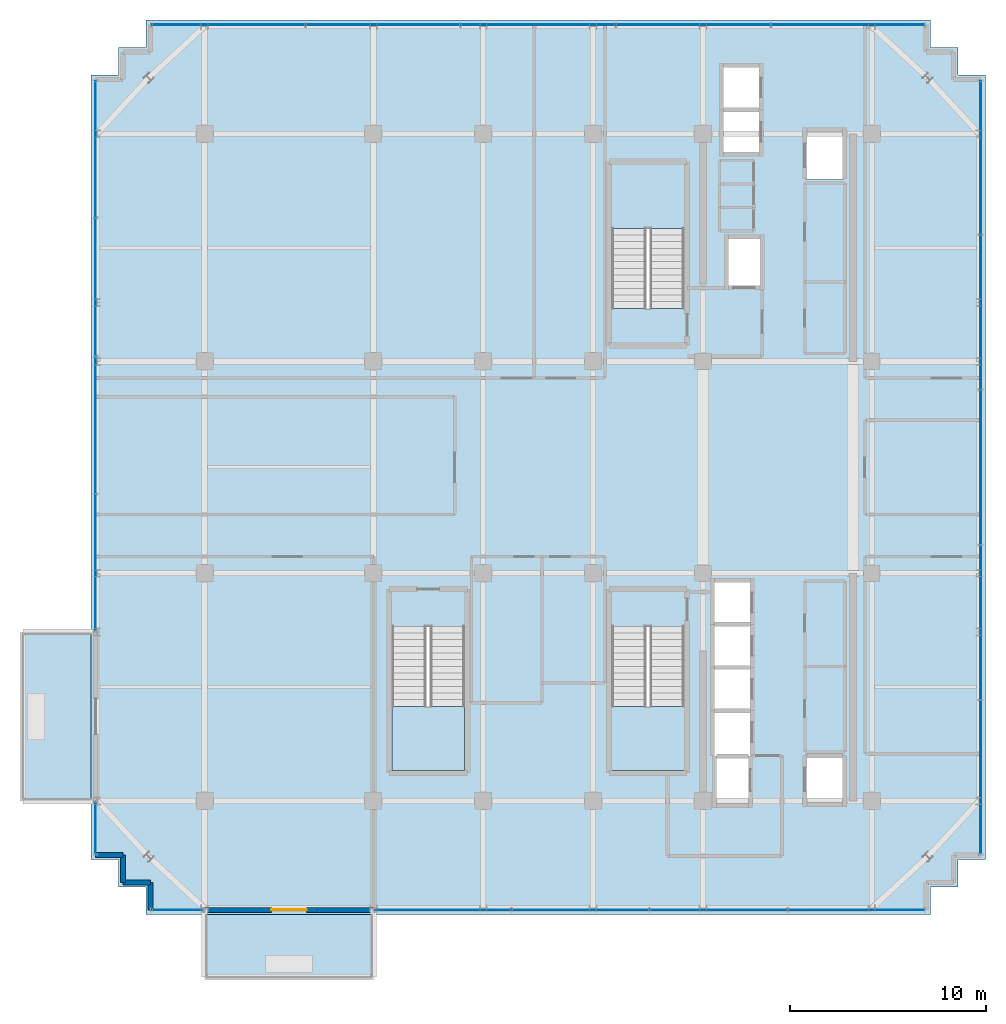
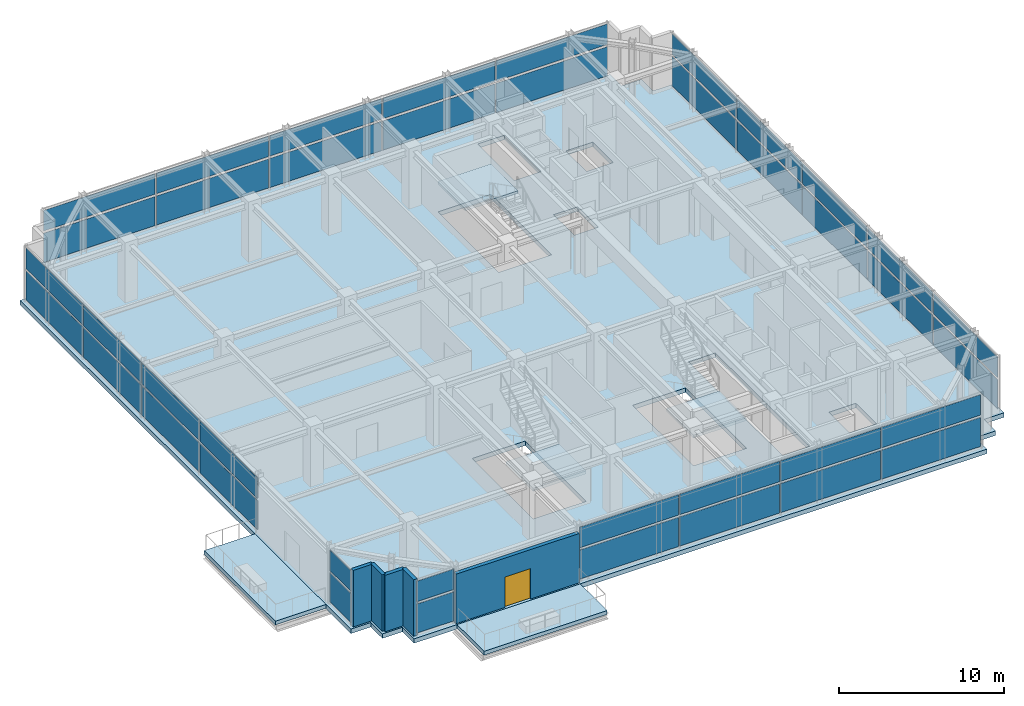
# One storey, part 18 of 25: 40 plates, 6 slabs, 5 walls, 1 door, 1 opening, 9 elements without a shape of their own.
"""IFC4 building model written with IfcOpenShell, lengths in metres."""

from ifc_helpers import new_model, si_unit, direction, frame, frame_2d, origin, origin_2d, place, context, subcontext, project, spatial, polyline, rectangle, outline, extrude, source, transform, mapped, material, layer, layer_set, type_object, element, fill, aggregate, save


model = new_model("IFC4")

# Units and contexts
model_context = context("Model", 3, precision=1e-05, world=origin(), true_north=direction((0.0, 1.0)))
body_context = subcontext(model_context, "Body", "Model", "MODEL_VIEW")
ifc_project = project(units=[si_unit("LENGTHUNIT", "METRE"), si_unit("AREAUNIT", "SQUARE_METRE"), si_unit("VOLUMEUNIT", "CUBIC_METRE"), si_unit("PLANEANGLEUNIT", "RADIAN"), si_unit("MASSUNIT", "GRAM", prefix="KILO")], contexts=[model_context])

# Site, building, storey
site_placement = place(None, origin())
site = spatial("IfcSite", under=ifc_project, at=site_placement, CompositionType="ELEMENT")
building_placement = place(site_placement, origin())
building = spatial("IfcBuilding", under=site, at=building_placement, Name="Nahalor Promenade Grand Hotel", CompositionType="ELEMENT")
storey_placement = place(building_placement, frame((0.0, 0.0, 338.550048828125)))
storey = spatial("IfcBuildingStorey", under=building, at=storey_placement, Name="L87", CompositionType="ELEMENT", Elevation=338.550048828125)

# Stair, slab
ifc_material_1 = material(Name="Concrete B-50 (C40/50)", Category="concrete")
stair_type_1 = type_object("IfcStairType", Name="Stair-ST1", PredefinedType="HALF_TURN_STAIR", material=ifc_material_1)
stair_1_placement = place(storey_placement, origin())
stair_1 = element("IfcStair", 1, at=stair_1_placement, inside=storey, type_object=stair_type_1, Name="L87 ST1", PredefinedType="HALF_TURN_STAIR")
ifc_layer_1 = layer(ifc_material_1, 0.199951171875)
ifc_layer_set_1 = layer_set([ifc_layer_1], Name="Concrete B-50 (C40/50)")
slab_type_1 = type_object("IfcSlabType", Name="Landing-ST1", PredefinedType="LANDING", material=ifc_layer_set_1)
slab_1_placement = place(storey_placement, frame((0.0, 0.0, 2.050048828125)))
slab_1 = element("IfcSlab", 2, at=slab_1_placement, type_object=slab_type_1, Name="ST1 landing 1", PredefinedType="LANDING", context=body_context, shape_type="SweptSolid", body=[
    extrude(outline(polyline([(7.449951171875, 12.179931640625), (7.449951171875, 15.449951171875), (3.75, 15.449951171875), (3.75, 12.179931640625), (7.449951171875, 12.179931640625)])), origin(), (0.0, 0.0, 1.0), 0.199951171875),
])
aggregate(stair_1, [slab_1])

stair_type_2 = type_object("IfcStairType", Name="Stair-ST2", PredefinedType="HALF_TURN_STAIR", material=ifc_material_1)
stair_2_placement = place(storey_placement, origin())
stair_2 = element("IfcStair", 3, at=stair_2_placement, inside=storey, type_object=stair_type_2, Name="L87 ST2", PredefinedType="HALF_TURN_STAIR")
ifc_layer_2 = layer(ifc_material_1, 0.2099609375)
ifc_layer_set_2 = layer_set([ifc_layer_2], Name="Concrete B-50 (C40/50)")
slab_type_2 = type_object("IfcSlabType", Name="Landing-ST2", PredefinedType="LANDING", material=ifc_layer_set_2)
slab_2_placement = place(storey_placement, frame((0.0, 0.0, 2.0400390625)))
slab_2 = element("IfcSlab", 4, at=slab_2_placement, type_object=slab_type_2, Name="ST2 landing 1", PredefinedType="LANDING", context=body_context, shape_type="SweptSolid", body=[
    extrude(outline(polyline([(3.75, -12.179931640625), (3.75, -15.449951171875), (7.449951171875, -15.449951171875), (7.449951171875, -12.179931640625), (3.75, -12.179931640625)])), origin(), (0.0, 0.0, 1.0), 0.2099609375),
])
aggregate(stair_2, [slab_2])

stair_type_3 = type_object("IfcStairType", Name="Stair-ST3", PredefinedType="HALF_TURN_STAIR", material=ifc_material_1)
stair_3_placement = place(storey_placement, origin())
stair_3 = element("IfcStair", 5, at=stair_3_placement, inside=storey, type_object=stair_type_3, Name="L87 ST3", PredefinedType="HALF_TURN_STAIR")
ifc_layer_3 = layer(ifc_material_1, 0.219970703125)
ifc_layer_set_3 = layer_set([ifc_layer_3], Name="Concrete B-50 (C40/50)")
slab_type_3 = type_object("IfcSlabType", Name="Landing-ST3", PredefinedType="LANDING", material=ifc_layer_set_3)
slab_3_placement = place(storey_placement, frame((0.0, 0.0, 2.030029296875)))
slab_3 = element("IfcSlab", 6, at=slab_3_placement, type_object=slab_type_3, Name="ST3 landing 1", PredefinedType="LANDING", context=body_context, shape_type="SweptSolid", body=[
    extrude(outline(polyline([(-7.449951171875, -12.179931640625), (-7.449951171875, -15.449951171875), (-3.75, -15.449951171875), (-3.75, -12.179931640625), (-7.449951171875, -12.179931640625)])), origin(), (0.0, 0.0, 1.0), 0.219970703125),
])
aggregate(stair_3, [slab_3])

# Slabs
ifc_layer_4 = layer(ifc_material_1, 0.280029296875)
ifc_layer_set_4 = layer_set([ifc_layer_4], Name="Concrete B-50 (C40/50)")
slab_type_4 = type_object("IfcSlabType", Name="Slab-Balcony-280", PredefinedType="FLOOR", material=ifc_layer_set_4)
slab_4_placement = place(storey_placement, frame((0.0, 0.0, -0.280029296875)))
element("IfcSlab", 7, at=slab_4_placement, inside=storey, type_object=slab_type_4, Name="L87 Cantilevered Planted Balcony 1", PredefinedType="FLOOR", context=body_context, shape_type="SweptSolid", body=[
    extrude(outline(polyline([(-17.0, -26.06005859375), (-8.39990234375, -26.06005859375), (-8.39990234375, -22.800048828125), (-17.0, -22.800048828125), (-17.0, -26.06005859375)])), origin(), (0.0, 0.0, 1.0), 0.280029296875),
])
slab_5_placement = place(storey_placement, frame((0.0, 0.0, -0.280029296875)))
element("IfcSlab", 8, at=slab_5_placement, inside=storey, type_object=slab_type_4, Name="L87 Cantilevered Planted Balcony 2", PredefinedType="FLOOR", context=body_context, shape_type="SweptSolid", body=[
    extrude(outline(polyline([(-26.340087890625, -17.0), (-22.800048828125, -17.0), (-22.800048828125, -8.39990234375), (-26.340087890625, -8.39990234375), (-26.340087890625, -17.0)])), origin(), (0.0, 0.0, 1.0), 0.280029296875),
])
ifc_layer_5 = layer(ifc_material_1, 0.330078125)
ifc_layer_set_5 = layer_set([ifc_layer_5], Name="Concrete B-50 (C40/50)")
slab_type_5 = type_object("IfcSlabType", Name="Slab-Observation-330", PredefinedType="FLOOR", material=ifc_layer_set_5)
slab_6_placement = place(storey_placement, frame((0.0, 0.0, -0.330078125)))
element("IfcSlab", 9, at=slab_6_placement, inside=storey, type_object=slab_type_5, Name="L87 Suspended Structural Floor Slab", PredefinedType="FLOOR", context=body_context, shape_type="SweptSolid", body=[
    extrude(outline(polyline([(-20.0, -22.800048828125), (20.0, -22.800048828125), (20.0, -21.39990234375), (21.39990234375, -21.39990234375), (21.39990234375, -20.0), (22.800048828125, -20.0), (22.800048828125, 20.0), (21.39990234375, 20.0), (21.39990234375, 21.39990234375), (20.0, 21.39990234375), (20.0, 22.800048828125), (-20.0, 22.800048828125), (-20.0, 21.39990234375), (-21.39990234375, 21.39990234375), (-21.39990234375, 20.0), (-22.800048828125, 20.0), (-22.800048828125, -20.0), (-21.39990234375, -20.0), (-21.39990234375, -21.39990234375), (-20.0, -21.39990234375), (-20.0, -22.800048828125)]), holes=[polyline([(3.75, 8.10009765625), (7.449951171875, 8.10009765625), (7.449951171875, 15.449951171875), (3.75, 15.449951171875), (3.75, 8.10009765625)]), polyline([(3.75, -15.449951171875), (7.449951171875, -15.449951171875), (7.449951171875, -8.10009765625), (3.75, -8.10009765625), (3.75, -15.449951171875)]), polyline([(-7.449951171875, -15.449951171875), (-3.75, -15.449951171875), (-3.75, -8.10009765625), (-7.449951171875, -8.10009765625), (-7.449951171875, -15.449951171875)]), polyline([(8.9599609375, -17.18994140625), (10.840087890625, -17.18994140625), (10.840087890625, -5.81005859375), (8.9599609375, -5.81005859375), (8.9599609375, -17.18994140625)]), polyline([(9.409912109375, 16.010009765625), (11.2900390625, 16.010009765625), (11.2900390625, 20.43994140625), (9.409912109375, 20.43994140625), (9.409912109375, 16.010009765625)]), polyline([(9.659912109375, 9.2099609375), (11.340087890625, 9.2099609375), (11.340087890625, 11.68994140625), (9.659912109375, 11.68994140625), (9.659912109375, 9.2099609375)]), polyline([(13.659912109375, 14.659912109375), (15.5400390625, 14.659912109375), (15.5400390625, 17.139892578125), (13.659912109375, 17.139892578125), (13.659912109375, 14.659912109375)]), polyline([(13.659912109375, -17.139892578125), (15.5400390625, -17.139892578125), (15.5400390625, -14.659912109375), (13.659912109375, -14.659912109375), (13.659912109375, -17.139892578125)])]), origin(), (0.0, 0.0, 1.0), 0.330078125),
])

# Curtain wall, plate
ifc_material_2 = material(Name="Anodised Bronze Aluminium EN AW-6063 T6", Category="aluminium")
curtain_wall_type = type_object("IfcCurtainWallType", Name="CW5 Sky-Lobby & Observation Panoramic Curtain Wall", PredefinedType="USERDEFINED", material=ifc_material_2)
curtain_wall_1_placement = place(storey_placement, origin())
curtain_wall_1 = element("IfcCurtainWall", 10, at=curtain_wall_1_placement, inside=storey, type_object=curtain_wall_type, Name="L87 Curtain Wall CW-L87-S-1", ObjectType="UNITISED_CURTAIN_WALL", PredefinedType="USERDEFINED")
ifc_material_3 = material(Name="Low-E Laminated Solar Glass", Category="glass")
ifc_layer_6 = layer(ifc_material_3, 0.035888671875)
ifc_layer_set_6 = layer_set([ifc_layer_6], Name="Low-E Laminated Solar Glass")
plate_type = type_object("IfcPlateType", Name="CWP5 Observation Acoustic Triple IGU 36mm", PredefinedType="CURTAIN_PANEL", material=ifc_layer_set_6)
shared_shape_1 = source(origin(), body_context, "Body", "SweptSolid", [
    extrude(rectangle(XDim=2.590087890625, YDim=0.035888671875, at=origin_2d()), origin(), (0.0, 0.0, 1.0), 2.14501953125),
])
plate_1_placement = place(storey_placement, frame((-18.3798828125, -22.56005859375, 0.169921875), z_axis=(0.0, 0.0, 1.0), x_axis=(1.0, 0.0, 0.0)))
plate_1 = element("IfcPlate", 11, at=plate_1_placement, type_object=plate_type, Name="CW-L87-S-1 Glazing Panel 0-0", PredefinedType="CURTAIN_PANEL", context=body_context, shape_type="MappedRepresentation", body=[
    mapped(shared_shape_1, transform((0.0, 0.0, 0.0), scale=1.0)),
])

curtain_wall_2_placement = place(storey_placement, origin())
curtain_wall_2 = element("IfcCurtainWall", 12, at=curtain_wall_2_placement, inside=storey, type_object=curtain_wall_type, Name="L87 Curtain Wall CW-L87-W-1", ObjectType="UNITISED_CURTAIN_WALL", PredefinedType="USERDEFINED")
plate_2_placement = place(storey_placement, frame((-22.56005859375, -18.3798828125, 0.169921875), z_axis=(0.0, 0.0, 1.0), x_axis=(0.0, 1.0, 0.0)))
plate_2 = element("IfcPlate", 13, at=plate_2_placement, type_object=plate_type, Name="CW-L87-W-1 Glazing Panel 0-0", PredefinedType="CURTAIN_PANEL", context=body_context, shape_type="MappedRepresentation", body=[
    mapped(shared_shape_1, transform((0.0, 0.0, 0.0), scale=1.0)),
])

# Plate
shared_shape_2 = source(origin(), body_context, "Body", "SweptSolid", [
    extrude(rectangle(XDim=2.590087890625, YDim=0.035888671875, at=origin_2d()), origin(), (0.0, 0.0, 1.0), 1.514892578125),
])
plate_3_placement = place(storey_placement, frame((-18.3798828125, -22.56005859375, 2.48486328125), z_axis=(0.0, 0.0, 1.0), x_axis=(1.0, 0.0, 0.0)))
plate_3 = element("IfcPlate", 14, at=plate_3_placement, type_object=plate_type, Name="CW-L87-S-1 Glazing Panel 0-1", PredefinedType="CURTAIN_PANEL", context=body_context, shape_type="MappedRepresentation", body=[
    mapped(shared_shape_2, transform((0.0, 0.0, 0.0), scale=1.0)),
])

aggregate(curtain_wall_1, [plate_1, plate_3])

plate_4_placement = place(storey_placement, frame((-22.56005859375, -18.3798828125, 2.48486328125), z_axis=(0.0, 0.0, 1.0), x_axis=(0.0, 1.0, 0.0)))
plate_4 = element("IfcPlate", 15, at=plate_4_placement, type_object=plate_type, Name="CW-L87-W-1 Glazing Panel 0-1", PredefinedType="CURTAIN_PANEL", context=body_context, shape_type="MappedRepresentation", body=[
    mapped(shared_shape_2, transform((0.0, 0.0, 0.0), scale=1.0)),
])

aggregate(curtain_wall_2, [plate_2, plate_4])

# Curtain wall, plates
curtain_wall_3_placement = place(storey_placement, origin())
curtain_wall_3 = element("IfcCurtainWall", 16, at=curtain_wall_3_placement, inside=storey, type_object=curtain_wall_type, Name="L87 Curtain Wall CW-L87-S-3", ObjectType="UNITISED_CURTAIN_WALL", PredefinedType="USERDEFINED")
shared_shape_3 = source(origin(), body_context, "Body", "SweptSolid", [
    extrude(rectangle(XDim=6.91259765625, YDim=0.035888671875, at=origin_2d()), origin(), (0.0, 0.0, 1.0), 2.14501953125),
])
plate_5_placement = place(storey_placement, frame((-4.858642578125, -22.56005859375, 0.169921875), z_axis=(0.0, 0.0, 1.0), x_axis=(1.0, 0.0, 0.0)))
plate_5 = element("IfcPlate", 17, at=plate_5_placement, type_object=plate_type, Name="CW-L87-S-3 Glazing Panel 0-0", PredefinedType="CURTAIN_PANEL", context=body_context, shape_type="MappedRepresentation", body=[
    mapped(shared_shape_3, transform((0.0, 0.0, 0.0), scale=1.0)),
])
plate_6_placement = place(storey_placement, frame((16.21875, -22.56005859375, 0.169921875), z_axis=(0.0, 0.0, 1.0), x_axis=(1.0, 0.0, 0.0)))
plate_6 = element("IfcPlate", 18, at=plate_6_placement, type_object=plate_type, Name="CW-L87-S-3 Glazing Panel 3-0", PredefinedType="CURTAIN_PANEL", context=body_context, shape_type="MappedRepresentation", body=[
    mapped(shared_shape_3, transform((0.0, 0.0, 0.0), scale=1.0)),
])

curtain_wall_4_placement = place(storey_placement, origin())
curtain_wall_4 = element("IfcCurtainWall", 19, at=curtain_wall_4_placement, inside=storey, type_object=curtain_wall_type, Name="L87 Curtain Wall CW-L87-W-3", ObjectType="UNITISED_CURTAIN_WALL", PredefinedType="USERDEFINED")
plate_7_placement = place(storey_placement, frame((-22.56005859375, -4.858642578125, 0.169921875), z_axis=(0.0, 0.0, 1.0), x_axis=(0.0, 1.0, 0.0)))
plate_7 = element("IfcPlate", 20, at=plate_7_placement, type_object=plate_type, Name="CW-L87-W-3 Glazing Panel 0-0", PredefinedType="CURTAIN_PANEL", context=body_context, shape_type="MappedRepresentation", body=[
    mapped(shared_shape_3, transform((0.0, 0.0, 0.0), scale=1.0)),
])
plate_8_placement = place(storey_placement, frame((-22.56005859375, 16.21875, 0.169921875), z_axis=(0.0, 0.0, 1.0), x_axis=(0.0, 1.0, 0.0)))
plate_8 = element("IfcPlate", 21, at=plate_8_placement, type_object=plate_type, Name="CW-L87-W-3 Glazing Panel 3-0", PredefinedType="CURTAIN_PANEL", context=body_context, shape_type="MappedRepresentation", body=[
    mapped(shared_shape_3, transform((0.0, 0.0, 0.0), scale=1.0)),
])

# Plate
shared_shape_4 = source(origin(), body_context, "Body", "SweptSolid", [
    extrude(rectangle(XDim=6.91259765625, YDim=0.035888671875, at=origin_2d()), origin(), (0.0, 0.0, 1.0), 1.514892578125),
])
plate_9_placement = place(storey_placement, frame((-4.858642578125, -22.56005859375, 2.48486328125), z_axis=(0.0, 0.0, 1.0), x_axis=(1.0, 0.0, 0.0)))
plate_9 = element("IfcPlate", 22, at=plate_9_placement, type_object=plate_type, Name="CW-L87-S-3 Glazing Panel 0-1", PredefinedType="CURTAIN_PANEL", context=body_context, shape_type="MappedRepresentation", body=[
    mapped(shared_shape_4, transform((0.0, 0.0, 0.0), scale=1.0)),
])

plate_10_placement = place(storey_placement, frame((16.21875, -22.56005859375, 2.48486328125), z_axis=(0.0, 0.0, 1.0), x_axis=(1.0, 0.0, 0.0)))
plate_10 = element("IfcPlate", 23, at=plate_10_placement, type_object=plate_type, Name="CW-L87-S-3 Glazing Panel 3-1", PredefinedType="CURTAIN_PANEL", context=body_context, shape_type="MappedRepresentation", body=[
    mapped(shared_shape_4, transform((0.0, 0.0, 0.0), scale=1.0)),
])

plate_11_placement = place(storey_placement, frame((-22.56005859375, -4.858642578125, 2.48486328125), z_axis=(0.0, 0.0, 1.0), x_axis=(0.0, 1.0, 0.0)))
plate_11 = element("IfcPlate", 24, at=plate_11_placement, type_object=plate_type, Name="CW-L87-W-3 Glazing Panel 0-1", PredefinedType="CURTAIN_PANEL", context=body_context, shape_type="MappedRepresentation", body=[
    mapped(shared_shape_4, transform((0.0, 0.0, 0.0), scale=1.0)),
])

plate_12_placement = place(storey_placement, frame((-22.56005859375, 16.21875, 2.48486328125), z_axis=(0.0, 0.0, 1.0), x_axis=(0.0, 1.0, 0.0)))
plate_12 = element("IfcPlate", 25, at=plate_12_placement, type_object=plate_type, Name="CW-L87-W-3 Glazing Panel 3-1", PredefinedType="CURTAIN_PANEL", context=body_context, shape_type="MappedRepresentation", body=[
    mapped(shared_shape_4, transform((0.0, 0.0, 0.0), scale=1.0)),
])

shared_shape_5 = source(origin(), body_context, "Body", "SweptSolid", [
    extrude(rectangle(XDim=6.955078125, YDim=0.035888671875, at=origin_2d()), origin(), (0.0, 0.0, 1.0), 2.14501953125),
])
plate_13_placement = place(storey_placement, frame((2.159912109375, -22.56005859375, 0.169921875), z_axis=(0.0, 0.0, 1.0), x_axis=(1.0, 0.0, 0.0)))
plate_13 = element("IfcPlate", 26, at=plate_13_placement, type_object=plate_type, Name="CW-L87-S-3 Glazing Panel 1-0", PredefinedType="CURTAIN_PANEL", context=body_context, shape_type="MappedRepresentation", body=[
    mapped(shared_shape_5, transform((0.0, 0.0, 0.0), scale=1.0)),
])

plate_14_placement = place(storey_placement, frame((9.199951171875, -22.56005859375, 0.169921875), z_axis=(0.0, 0.0, 1.0), x_axis=(1.0, 0.0, 0.0)))
plate_14 = element("IfcPlate", 27, at=plate_14_placement, type_object=plate_type, Name="CW-L87-S-3 Glazing Panel 2-0", PredefinedType="CURTAIN_PANEL", context=body_context, shape_type="MappedRepresentation", body=[
    mapped(shared_shape_5, transform((0.0, 0.0, 0.0), scale=1.0)),
])

plate_15_placement = place(storey_placement, frame((-22.56005859375, 2.159912109375, 0.169921875), z_axis=(0.0, 0.0, 1.0), x_axis=(0.0, 1.0, 0.0)))
plate_15 = element("IfcPlate", 28, at=plate_15_placement, type_object=plate_type, Name="CW-L87-W-3 Glazing Panel 1-0", PredefinedType="CURTAIN_PANEL", context=body_context, shape_type="MappedRepresentation", body=[
    mapped(shared_shape_5, transform((0.0, 0.0, 0.0), scale=1.0)),
])

plate_16_placement = place(storey_placement, frame((-22.56005859375, 9.199951171875, 0.169921875), z_axis=(0.0, 0.0, 1.0), x_axis=(0.0, 1.0, 0.0)))
plate_16 = element("IfcPlate", 29, at=plate_16_placement, type_object=plate_type, Name="CW-L87-W-3 Glazing Panel 2-0", PredefinedType="CURTAIN_PANEL", context=body_context, shape_type="MappedRepresentation", body=[
    mapped(shared_shape_5, transform((0.0, 0.0, 0.0), scale=1.0)),
])

shared_shape_6 = source(origin(), body_context, "Body", "SweptSolid", [
    extrude(rectangle(XDim=6.955078125, YDim=0.035888671875, at=origin_2d()), origin(), (0.0, 0.0, 1.0), 1.514892578125),
])
plate_17_placement = place(storey_placement, frame((2.159912109375, -22.56005859375, 2.48486328125), z_axis=(0.0, 0.0, 1.0), x_axis=(1.0, 0.0, 0.0)))
plate_17 = element("IfcPlate", 30, at=plate_17_placement, type_object=plate_type, Name="CW-L87-S-3 Glazing Panel 1-1", PredefinedType="CURTAIN_PANEL", context=body_context, shape_type="MappedRepresentation", body=[
    mapped(shared_shape_6, transform((0.0, 0.0, 0.0), scale=1.0)),
])

plate_18_placement = place(storey_placement, frame((9.199951171875, -22.56005859375, 2.48486328125), z_axis=(0.0, 0.0, 1.0), x_axis=(1.0, 0.0, 0.0)))
plate_18 = element("IfcPlate", 31, at=plate_18_placement, type_object=plate_type, Name="CW-L87-S-3 Glazing Panel 2-1", PredefinedType="CURTAIN_PANEL", context=body_context, shape_type="MappedRepresentation", body=[
    mapped(shared_shape_6, transform((0.0, 0.0, 0.0), scale=1.0)),
])

aggregate(curtain_wall_3, [plate_5, plate_9, plate_13, plate_17, plate_14, plate_18, plate_6, plate_10])

plate_19_placement = place(storey_placement, frame((-22.56005859375, 2.159912109375, 2.48486328125), z_axis=(0.0, 0.0, 1.0), x_axis=(0.0, 1.0, 0.0)))
plate_19 = element("IfcPlate", 32, at=plate_19_placement, type_object=plate_type, Name="CW-L87-W-3 Glazing Panel 1-1", PredefinedType="CURTAIN_PANEL", context=body_context, shape_type="MappedRepresentation", body=[
    mapped(shared_shape_6, transform((0.0, 0.0, 0.0), scale=1.0)),
])

plate_20_placement = place(storey_placement, frame((-22.56005859375, 9.199951171875, 2.48486328125), z_axis=(0.0, 0.0, 1.0), x_axis=(0.0, 1.0, 0.0)))
plate_20 = element("IfcPlate", 33, at=plate_20_placement, type_object=plate_type, Name="CW-L87-W-3 Glazing Panel 2-1", PredefinedType="CURTAIN_PANEL", context=body_context, shape_type="MappedRepresentation", body=[
    mapped(shared_shape_6, transform((0.0, 0.0, 0.0), scale=1.0)),
])

aggregate(curtain_wall_4, [plate_7, plate_11, plate_15, plate_19, plate_16, plate_20, plate_8, plate_12])

# Curtain wall, plates
curtain_wall_5_placement = place(storey_placement, origin())
curtain_wall_5 = element("IfcCurtainWall", 34, at=curtain_wall_5_placement, inside=storey, type_object=curtain_wall_type, Name="L87 Curtain Wall CW-L87-N-1", ObjectType="UNITISED_CURTAIN_WALL", PredefinedType="USERDEFINED")
shared_shape_7 = source(origin(), body_context, "Body", "SweptSolid", [
    extrude(rectangle(XDim=7.776611328125, YDim=0.035888671875, at=origin_2d()), origin(), (0.0, 0.0, 1.0), 2.14501953125),
])
plate_21_placement = place(storey_placement, frame((-15.786865234375, 22.56005859375, 0.169921875), z_axis=(0.0, 0.0, 1.0), x_axis=(1.0, 0.0, 0.0)))
plate_21 = element("IfcPlate", 35, at=plate_21_placement, type_object=plate_type, Name="CW-L87-N-1 Glazing Panel 0-0", PredefinedType="CURTAIN_PANEL", context=body_context, shape_type="MappedRepresentation", body=[
    mapped(shared_shape_7, transform((0.0, 0.0, 0.0), scale=1.0)),
])
plate_22_placement = place(storey_placement, frame((15.786865234375, 22.56005859375, 0.169921875), z_axis=(0.0, 0.0, 1.0), x_axis=(1.0, 0.0, 0.0)))
plate_22 = element("IfcPlate", 36, at=plate_22_placement, type_object=plate_type, Name="CW-L87-N-1 Glazing Panel 4-0", PredefinedType="CURTAIN_PANEL", context=body_context, shape_type="MappedRepresentation", body=[
    mapped(shared_shape_7, transform((0.0, 0.0, 0.0), scale=1.0)),
])

curtain_wall_6_placement = place(storey_placement, origin())
curtain_wall_6 = element("IfcCurtainWall", 37, at=curtain_wall_6_placement, inside=storey, type_object=curtain_wall_type, Name="L87 Curtain Wall CW-L87-E-1", ObjectType="UNITISED_CURTAIN_WALL", PredefinedType="USERDEFINED")
plate_23_placement = place(storey_placement, frame((22.56005859375, -15.786865234375, 0.169921875), z_axis=(0.0, 0.0, 1.0), x_axis=(0.0, 1.0, 0.0)))
plate_23 = element("IfcPlate", 38, at=plate_23_placement, type_object=plate_type, Name="CW-L87-E-1 Glazing Panel 0-0", PredefinedType="CURTAIN_PANEL", context=body_context, shape_type="MappedRepresentation", body=[
    mapped(shared_shape_7, transform((0.0, 0.0, 0.0), scale=1.0)),
])
plate_24_placement = place(storey_placement, frame((22.56005859375, 15.786865234375, 0.169921875), z_axis=(0.0, 0.0, 1.0), x_axis=(0.0, 1.0, 0.0)))
plate_24 = element("IfcPlate", 39, at=plate_24_placement, type_object=plate_type, Name="CW-L87-E-1 Glazing Panel 4-0", PredefinedType="CURTAIN_PANEL", context=body_context, shape_type="MappedRepresentation", body=[
    mapped(shared_shape_7, transform((0.0, 0.0, 0.0), scale=1.0)),
])

# Plate
shared_shape_8 = source(origin(), body_context, "Body", "SweptSolid", [
    extrude(rectangle(XDim=7.776611328125, YDim=0.035888671875, at=origin_2d()), origin(), (0.0, 0.0, 1.0), 1.514892578125),
])
plate_25_placement = place(storey_placement, frame((-15.786865234375, 22.56005859375, 2.48486328125), z_axis=(0.0, 0.0, 1.0), x_axis=(1.0, 0.0, 0.0)))
plate_25 = element("IfcPlate", 40, at=plate_25_placement, type_object=plate_type, Name="CW-L87-N-1 Glazing Panel 0-1", PredefinedType="CURTAIN_PANEL", context=body_context, shape_type="MappedRepresentation", body=[
    mapped(shared_shape_8, transform((0.0, 0.0, 0.0), scale=1.0)),
])

plate_26_placement = place(storey_placement, frame((15.786865234375, 22.56005859375, 2.48486328125), z_axis=(0.0, 0.0, 1.0), x_axis=(1.0, 0.0, 0.0)))
plate_26 = element("IfcPlate", 41, at=plate_26_placement, type_object=plate_type, Name="CW-L87-N-1 Glazing Panel 4-1", PredefinedType="CURTAIN_PANEL", context=body_context, shape_type="MappedRepresentation", body=[
    mapped(shared_shape_8, transform((0.0, 0.0, 0.0), scale=1.0)),
])

plate_27_placement = place(storey_placement, frame((22.56005859375, -15.786865234375, 2.48486328125), z_axis=(0.0, 0.0, 1.0), x_axis=(0.0, 1.0, 0.0)))
plate_27 = element("IfcPlate", 42, at=plate_27_placement, type_object=plate_type, Name="CW-L87-E-1 Glazing Panel 0-1", PredefinedType="CURTAIN_PANEL", context=body_context, shape_type="MappedRepresentation", body=[
    mapped(shared_shape_8, transform((0.0, 0.0, 0.0), scale=1.0)),
])

plate_28_placement = place(storey_placement, frame((22.56005859375, 15.786865234375, 2.48486328125), z_axis=(0.0, 0.0, 1.0), x_axis=(0.0, 1.0, 0.0)))
plate_28 = element("IfcPlate", 43, at=plate_28_placement, type_object=plate_type, Name="CW-L87-E-1 Glazing Panel 4-1", PredefinedType="CURTAIN_PANEL", context=body_context, shape_type="MappedRepresentation", body=[
    mapped(shared_shape_8, transform((0.0, 0.0, 0.0), scale=1.0)),
])

shared_shape_9 = source(origin(), body_context, "Body", "SweptSolid", [
    extrude(rectangle(XDim=7.819091796875, YDim=0.035888671875, at=origin_2d()), origin(), (0.0, 0.0, 1.0), 2.14501953125),
])
plate_29_placement = place(storey_placement, frame((-7.904052734375, 22.56005859375, 0.169921875), z_axis=(0.0, 0.0, 1.0), x_axis=(1.0, 0.0, 0.0)))
plate_29 = element("IfcPlate", 44, at=plate_29_placement, type_object=plate_type, Name="CW-L87-N-1 Glazing Panel 1-0", PredefinedType="CURTAIN_PANEL", context=body_context, shape_type="MappedRepresentation", body=[
    mapped(shared_shape_9, transform((0.0, 0.0, 0.0), scale=1.0)),
])

plate_30_placement = place(storey_placement, frame((0.0, 22.56005859375, 0.169921875), z_axis=(0.0, 0.0, 1.0), x_axis=(1.0, 0.0, 0.0)))
plate_30 = element("IfcPlate", 45, at=plate_30_placement, type_object=plate_type, Name="CW-L87-N-1 Glazing Panel 2-0", PredefinedType="CURTAIN_PANEL", context=body_context, shape_type="MappedRepresentation", body=[
    mapped(shared_shape_9, transform((0.0, 0.0, 0.0), scale=1.0)),
])

plate_31_placement = place(storey_placement, frame((7.904052734375, 22.56005859375, 0.169921875), z_axis=(0.0, 0.0, 1.0), x_axis=(1.0, 0.0, 0.0)))
plate_31 = element("IfcPlate", 46, at=plate_31_placement, type_object=plate_type, Name="CW-L87-N-1 Glazing Panel 3-0", PredefinedType="CURTAIN_PANEL", context=body_context, shape_type="MappedRepresentation", body=[
    mapped(shared_shape_9, transform((0.0, 0.0, 0.0), scale=1.0)),
])

plate_32_placement = place(storey_placement, frame((22.56005859375, -7.904052734375, 0.169921875), z_axis=(0.0, 0.0, 1.0), x_axis=(0.0, 1.0, 0.0)))
plate_32 = element("IfcPlate", 47, at=plate_32_placement, type_object=plate_type, Name="CW-L87-E-1 Glazing Panel 1-0", PredefinedType="CURTAIN_PANEL", context=body_context, shape_type="MappedRepresentation", body=[
    mapped(shared_shape_9, transform((0.0, 0.0, 0.0), scale=1.0)),
])

plate_33_placement = place(storey_placement, frame((22.56005859375, 0.0, 0.169921875), z_axis=(0.0, 0.0, 1.0), x_axis=(0.0, 1.0, 0.0)))
plate_33 = element("IfcPlate", 48, at=plate_33_placement, type_object=plate_type, Name="CW-L87-E-1 Glazing Panel 2-0", PredefinedType="CURTAIN_PANEL", context=body_context, shape_type="MappedRepresentation", body=[
    mapped(shared_shape_9, transform((0.0, 0.0, 0.0), scale=1.0)),
])

plate_34_placement = place(storey_placement, frame((22.56005859375, 7.904052734375, 0.169921875), z_axis=(0.0, 0.0, 1.0), x_axis=(0.0, 1.0, 0.0)))
plate_34 = element("IfcPlate", 49, at=plate_34_placement, type_object=plate_type, Name="CW-L87-E-1 Glazing Panel 3-0", PredefinedType="CURTAIN_PANEL", context=body_context, shape_type="MappedRepresentation", body=[
    mapped(shared_shape_9, transform((0.0, 0.0, 0.0), scale=1.0)),
])

shared_shape_10 = source(origin(), body_context, "Body", "SweptSolid", [
    extrude(rectangle(XDim=7.819091796875, YDim=0.035888671875, at=origin_2d()), origin(), (0.0, 0.0, 1.0), 1.514892578125),
])
plate_35_placement = place(storey_placement, frame((-7.904052734375, 22.56005859375, 2.48486328125), z_axis=(0.0, 0.0, 1.0), x_axis=(1.0, 0.0, 0.0)))
plate_35 = element("IfcPlate", 50, at=plate_35_placement, type_object=plate_type, Name="CW-L87-N-1 Glazing Panel 1-1", PredefinedType="CURTAIN_PANEL", context=body_context, shape_type="MappedRepresentation", body=[
    mapped(shared_shape_10, transform((0.0, 0.0, 0.0), scale=1.0)),
])

plate_36_placement = place(storey_placement, frame((0.0, 22.56005859375, 2.48486328125), z_axis=(0.0, 0.0, 1.0), x_axis=(1.0, 0.0, 0.0)))
plate_36 = element("IfcPlate", 51, at=plate_36_placement, type_object=plate_type, Name="CW-L87-N-1 Glazing Panel 2-1", PredefinedType="CURTAIN_PANEL", context=body_context, shape_type="MappedRepresentation", body=[
    mapped(shared_shape_10, transform((0.0, 0.0, 0.0), scale=1.0)),
])

plate_37_placement = place(storey_placement, frame((7.904052734375, 22.56005859375, 2.48486328125), z_axis=(0.0, 0.0, 1.0), x_axis=(1.0, 0.0, 0.0)))
plate_37 = element("IfcPlate", 52, at=plate_37_placement, type_object=plate_type, Name="CW-L87-N-1 Glazing Panel 3-1", PredefinedType="CURTAIN_PANEL", context=body_context, shape_type="MappedRepresentation", body=[
    mapped(shared_shape_10, transform((0.0, 0.0, 0.0), scale=1.0)),
])

aggregate(curtain_wall_5, [plate_21, plate_25, plate_29, plate_35, plate_30, plate_36, plate_31, plate_37, plate_22, plate_26])

plate_38_placement = place(storey_placement, frame((22.56005859375, -7.904052734375, 2.48486328125), z_axis=(0.0, 0.0, 1.0), x_axis=(0.0, 1.0, 0.0)))
plate_38 = element("IfcPlate", 53, at=plate_38_placement, type_object=plate_type, Name="CW-L87-E-1 Glazing Panel 1-1", PredefinedType="CURTAIN_PANEL", context=body_context, shape_type="MappedRepresentation", body=[
    mapped(shared_shape_10, transform((0.0, 0.0, 0.0), scale=1.0)),
])

plate_39_placement = place(storey_placement, frame((22.56005859375, 0.0, 2.48486328125), z_axis=(0.0, 0.0, 1.0), x_axis=(0.0, 1.0, 0.0)))
plate_39 = element("IfcPlate", 54, at=plate_39_placement, type_object=plate_type, Name="CW-L87-E-1 Glazing Panel 2-1", PredefinedType="CURTAIN_PANEL", context=body_context, shape_type="MappedRepresentation", body=[
    mapped(shared_shape_10, transform((0.0, 0.0, 0.0), scale=1.0)),
])

plate_40_placement = place(storey_placement, frame((22.56005859375, 7.904052734375, 2.48486328125), z_axis=(0.0, 0.0, 1.0), x_axis=(0.0, 1.0, 0.0)))
plate_40 = element("IfcPlate", 55, at=plate_40_placement, type_object=plate_type, Name="CW-L87-E-1 Glazing Panel 3-1", PredefinedType="CURTAIN_PANEL", context=body_context, shape_type="MappedRepresentation", body=[
    mapped(shared_shape_10, transform((0.0, 0.0, 0.0), scale=1.0)),
])

aggregate(curtain_wall_6, [plate_23, plate_27, plate_32, plate_38, plate_33, plate_39, plate_34, plate_40, plate_24, plate_28])

# Walls
ifc_material_4 = material(Name="Concrete B-40 (C32/40)", Category="concrete")
ifc_layer_7 = layer(ifc_material_4, 0.25)
ifc_layer_set_7 = layer_set([ifc_layer_7], Name="Concrete B-40 (C32/40)")
wall_type_1 = type_object("IfcWallType", Name="Wall-BronzePier-250", PredefinedType="STANDARD", material=ifc_layer_set_7)
shared_shape_11 = source(origin(), body_context, "Body", "SweptSolid", [
    extrude(rectangle(XDim=1.400146484375, YDim=0.25, at=frame_2d((0.7001953125, 0.0))), origin(), (0.0, 0.0, 1.0), 4.169921875),
])
for number, where, z_axis, x_axis, name in (
    (56, (-22.56005859375, -19.760009765625, 0.0), (0.0, 0.0, 1.0), (1.0, 0.0, 0.0), "W-L87-SR-13"),
    (57, (-19.760009765625, -22.56005859375, 0.0), (0.0, 0.0, 1.0), (0.0, 1.0, 0.0), "W-L87-SR-16"),
):
    element("IfcWall", number, at=place(storey_placement, frame(where, z_axis=z_axis, x_axis=x_axis)), inside=storey, type_object=wall_type_1, Name=name, PredefinedType="STANDARD", context=body_context, shape_type="MappedRepresentation", body=[
        mapped(shared_shape_11, transform((0.0, 0.0, 0.0), scale=1.0)),
    ])
shared_shape_12 = source(origin(), body_context, "Body", "SweptSolid", [
    extrude(rectangle(XDim=1.39990234375, YDim=0.25, at=frame_2d((0.699951171875, 0.0))), origin(), (0.0, 0.0, 1.0), 4.169921875),
])
for number, where, z_axis, x_axis, name in (
    (58, (-21.159912109375, -21.159912109375, 0.0), (0.0, 0.0, 1.0), (0.0, 1.0, 0.0), "W-L87-SR-14"),
    (59, (-21.159912109375, -21.159912109375, 0.0), (0.0, 0.0, 1.0), (1.0, 0.0, 0.0), "W-L87-SR-15"),
):
    element("IfcWall", number, at=place(storey_placement, frame(where, z_axis=z_axis, x_axis=x_axis)), inside=storey, type_object=wall_type_1, Name=name, PredefinedType="STANDARD", context=body_context, shape_type="MappedRepresentation", body=[
        mapped(shared_shape_12, transform((0.0, 0.0, 0.0), scale=1.0)),
    ])

# Wall, opening, door
ifc_layer_8 = layer(ifc_material_4, 0.260009765625)
ifc_layer_set_8 = layer_set([ifc_layer_8], Name="Concrete B-40 (C32/40)")
wall_type_2 = type_object("IfcWallType", Name="Wall-BalconyWall-260", PredefinedType="STANDARD", material=ifc_layer_set_8)
shared_shape_13 = source(origin(), body_context, "Body", "SweptSolid", [
    extrude(rectangle(XDim=8.60009765625, YDim=0.260009765625, at=frame_2d((4.300048828125, 0.0))), origin(), (0.0, 0.0, 1.0), 3.64990234375),
])
wall_placement = place(storey_placement, frame((-17.0, -22.56005859375, 0.0), z_axis=(0.0, 0.0, 1.0), x_axis=(1.0, 0.0, 0.0)))
wall = element("IfcWall", 60, at=wall_placement, inside=storey, type_object=wall_type_2, Name="W-L87-BALC-S-2", PredefinedType="STANDARD", context=body_context, shape_type="MappedRepresentation", body=[
    mapped(shared_shape_13, transform((0.0, 0.0, 0.0), scale=1.0)),
])
opening_placement = place(wall_placement, frame((3.39990234375, 0.0, 0.0)))
opening = element("IfcOpeningElement", 61, at=opening_placement, cuts=wall, Name="Opening D-BC1", PredefinedType="OPENING", context=body_context, shape_type="SweptSolid", body=[
    extrude(rectangle(XDim=1.800048828125, YDim=2.25, at=frame_2d((0.89990234375, 1.125))), frame((0.0, 0.139892578125, 0.0), z_axis=(0.0, -1.0, 0.0), x_axis=(1.0, 0.0, 0.0)), (0.0, 0.0, 1.0), 0.280029296875),
])
door_type = type_object("IfcDoorType", Name="Door-BalconySlide-1800", OperationType="DOUBLE_DOOR_SLIDING", PredefinedType="DOOR", material=ifc_material_2)
shared_shape_14 = source(origin(), body_context, "Body", "SweptSolid", [
    extrude(rectangle(XDim=1.800048828125, YDim=2.25, at=frame_2d((0.89990234375, 1.125))), frame((0.0, 0.02490234375, 0.0), z_axis=(0.0, -1.0, 0.0), x_axis=(1.0, 0.0, 0.0)), (0.0, 0.0, 1.0), 0.050048828125),
])
door_placement = place(opening_placement, frame((1.800048828125, 0.0, 0.0), z_axis=(0.0, 0.0, 1.0), x_axis=(-1.0, 0.0, 0.0)))
door = element("IfcDoor", 62, at=door_placement, inside=storey, type_object=door_type, Name="DR-L87-BALC-S-2", OperationType="DOUBLE_DOOR_SLIDING", OverallHeight=2.25, OverallWidth=1.800048828125, PredefinedType="DOOR", context=body_context, shape_type="MappedRepresentation", body=[
    mapped(shared_shape_14, transform((0.0, 0.0, 0.0), scale=1.0)),
])
fill(opening, door)

save(model, "model.ifc")
